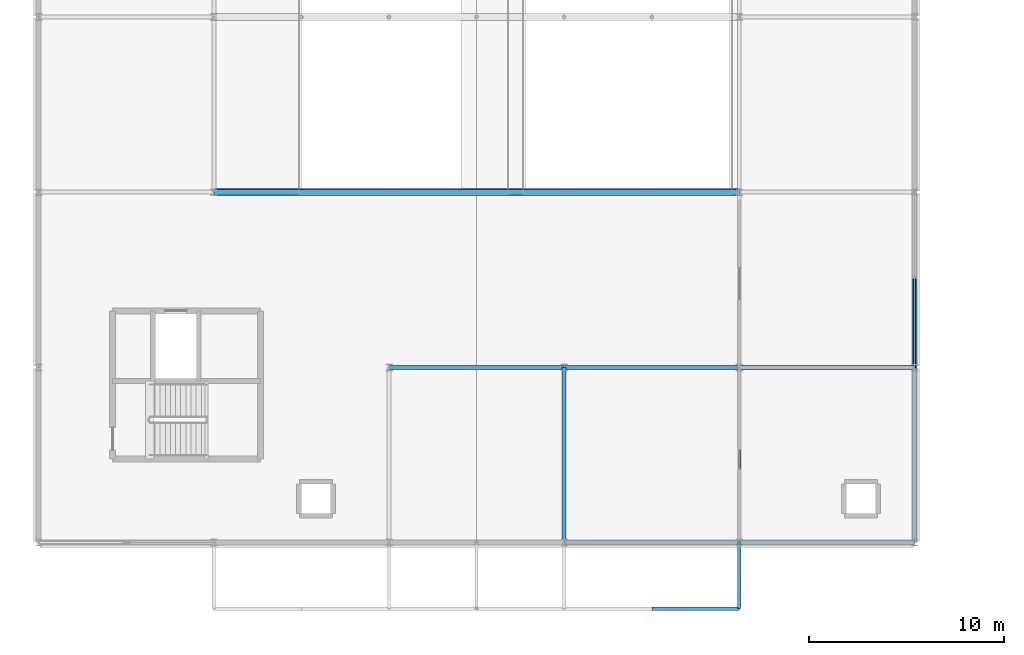
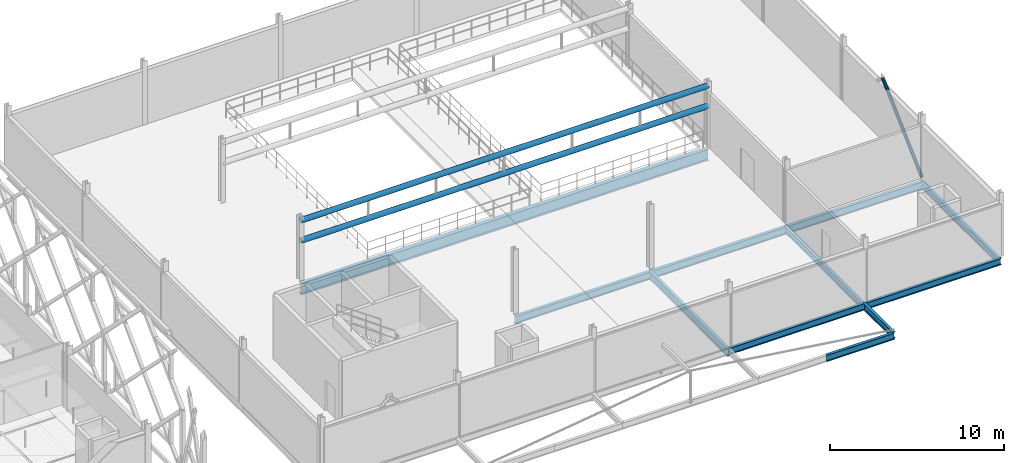
# One storey, part 62 of 140: 11 beams, 3 members.
"""IFC4 building model written with IfcOpenShell, lengths in metres."""

import ifcopenshell
import ifcopenshell.guid

model = None  # the IFC model being written
_history = None  # IfcOwnerHistory: only IFC2X3 demands one
_inside = {}  # id of a spatial element -> (the spatial element, [elements in it])
_under = {}  # id of a project, library or spatial element -> (it, [spatial elements below it])
_declared = {}  # id of a project -> (the project, [libraries it declares])
_typed = {}  # id of a type object -> (the type object, [elements of that type])
_made_of = {}  # id of a material, layer set ... -> (it, [elements and type objects made of it])


def new_model(schema):
    """Start an empty IFC model of exactly this schema.

    Asked for "IFC4X3", IfcOpenShell would pick the latest addendum, in which some entities
    have other attributes; the version numbers below select the first issue.
    IFC2X3 requires an IfcOwnerHistory on every rooted entity: one is made here for all.
    """
    global model, _history
    if schema == "IFC4X3":
        model = ifcopenshell.file(schema_version=(4, 3, 0, 0))
    else:
        model = ifcopenshell.file(schema=schema)
    _inside.clear()
    _under.clear()
    _declared.clear()
    _typed.clear()
    _made_of.clear()
    _history = None
    if model.schema == "IFC2X3":
        org = make("IfcOrganization", Name="unknown")
        user = make(
            "IfcPersonAndOrganization",
            ThePerson=make("IfcPerson", FamilyName="unknown"),
            TheOrganization=org,
        )
        app = make(
            "IfcApplication",
            ApplicationDeveloper=org,
            Version="unknown",
            ApplicationFullName="unknown",
            ApplicationIdentifier="unknown",
        )
        _history = make(
            "IfcOwnerHistory",
            OwningUser=user,
            OwningApplication=app,
            ChangeAction="ADDED",
            CreationDate=0,
        )
    return model


def make(cls, **values):
    """One entity of the class cls with the attributes given. An attribute that is None is left unset."""
    return model.create_entity(
        cls, **{name: value for name, value in values.items() if value is not None}
    )


def rooted(cls, **values):
    """An entity with a GlobalId (a new one), such as an element, a storey or a relation."""
    return make(cls, GlobalId=ifcopenshell.guid.new(), OwnerHistory=_history, **values)


def si_unit(unit_type, name, prefix=None):
    """IfcSIUnit, for example si_unit("LENGTHUNIT", "METRE", prefix="MILLI")."""
    return make("IfcSIUnit", UnitType=unit_type, Prefix=prefix, Name=name)


def assignment(units):
    """IfcUnitAssignment: the units of a project."""
    return None if units is None else make("IfcUnitAssignment", Units=units)


def point(xyz):
    """IfcCartesianPoint."""
    return None if xyz is None else make("IfcCartesianPoint", Coordinates=xyz)


def direction(xyz):
    """IfcDirection."""
    return None if xyz is None else make("IfcDirection", DirectionRatios=xyz)


def frame(location, z_axis=None, x_axis=None):
    """IfcAxis2Placement3D, a coordinate frame: its origin and axes. An axis left out is left unset."""
    return make(
        "IfcAxis2Placement3D",
        Location=point(location),
        Axis=direction(z_axis),
        RefDirection=direction(x_axis),
    )


def frame_2d(location, x_axis=None):
    """IfcAxis2Placement2D, a coordinate frame in the plane: its origin and x axis."""
    return make(
        "IfcAxis2Placement2D", Location=point(location), RefDirection=direction(x_axis)
    )


def origin():
    """The frame at (0, 0, 0) with its axes left unset."""
    return frame((0.0, 0.0, 0.0))


def origin_2d():
    """The frame at (0, 0) in the plane with its x axis left unset."""
    return frame_2d((0.0, 0.0))


def place(relative_to, where):
    """IfcLocalPlacement: puts the frame where relative to a parent placement (None: the world)."""
    return make(
        "IfcLocalPlacement", PlacementRelTo=relative_to, RelativePlacement=where
    )


def context(
    kind, dimensions, precision=None, world=None, true_north=None, identifier=None
):
    """IfcGeometricRepresentationContext, for example the 3D "Model" context."""
    return make(
        "IfcGeometricRepresentationContext",
        ContextIdentifier=identifier,
        ContextType=kind,
        CoordinateSpaceDimension=dimensions,
        Precision=precision,
        WorldCoordinateSystem=world,
        TrueNorth=true_north,
    )


def subcontext(parent, identifier, kind, view, scale=None):
    """IfcGeometricRepresentationSubContext, for example "Body" below "Model"."""
    return make(
        "IfcGeometricRepresentationSubContext",
        ContextIdentifier=identifier,
        ContextType=kind,
        ParentContext=parent,
        TargetScale=scale,
        TargetView=view,
    )


def project(units=None, contexts=None):
    """IfcProject with its units and contexts."""
    return rooted(
        "IfcProject",
        Name="project",
        RepresentationContexts=contexts,
        UnitsInContext=assignment(units),
    )


def spatial(cls, under=None, at=None, **own):
    """A site, building, storey or space (cls), placed at a placement, below another one or the project."""
    s = rooted(cls, ObjectPlacement=at, **own)
    if under is not None:
        _under.setdefault(under.id(), (under, []))[1].append(s)
    return s


def profile(cls, at=None, kind="AREA", **sizes):
    """A parametric profile (cls). Its sizes go by their IFC names, for example OverallWidth=200.0."""
    return make(cls, ProfileType=kind, Position=at, **sizes)


def hollow_circle(**sizes):
    """IfcCircleHollowProfileDef."""
    return profile("IfcCircleHollowProfileDef", **sizes)


def i_section(**sizes):
    """IfcIShapeProfileDef."""
    return profile("IfcIShapeProfileDef", **sizes)


def extrude(swept, where, along, depth):
    """IfcExtrudedAreaSolid: the profile swept, set in the frame where, extruded along a direction by depth."""
    return make(
        "IfcExtrudedAreaSolid",
        SweptArea=swept,
        Position=where,
        ExtrudedDirection=direction(along),
        Depth=depth,
    )


def shape(context_of_items, identifier, shape_type, items):
    """IfcShapeRepresentation: the items that make up one representation, for example the "Body"."""
    return make(
        "IfcShapeRepresentation",
        ContextOfItems=context_of_items,
        RepresentationIdentifier=identifier,
        RepresentationType=shape_type,
        Items=items,
    )


def material(Name=None, Category=None):
    """IfcMaterial."""
    return make("IfcMaterial", Name=Name, Category=Category)


def material_profile(
    of_material, cross_section, Name=None, Category=None, Priority=None
):
    """IfcMaterialProfile: a cross section and its material."""
    return make(
        "IfcMaterialProfile",
        Name=Name,
        Material=of_material,
        Profile=cross_section,
        Priority=Priority,
        Category=Category,
    )


def profile_set(profiles, Name=None, composite=None):
    """IfcMaterialProfileSet."""
    return make(
        "IfcMaterialProfileSet",
        Name=Name,
        MaterialProfiles=profiles,
        CompositeProfile=composite,
    )


def made_of(thing, what):
    """Note that an element or type object is made of a material, layer set ...; save() writes the relation."""
    if what is not None:
        _made_of.setdefault(what.id(), (what, []))[1].append(thing)
    return thing


def type_object(cls, material=None, **own):
    """A type object (cls), such as IfcWallType, which elements share."""
    return made_of(rooted(cls, **own), material)


def element(
    cls,
    number,
    at=None,
    inside=None,
    cuts=None,
    type_object=None,
    material=None,
    context=None,
    identifier="Body",
    shape_type=None,
    held_by="IfcProductDefinitionShape",
    body=None,
    shapes=None,
    **own,
):
    """One element of the class cls, such as IfcWall. Its Tag is "e" and its number.

    at: its placement. inside: the storey or other place that contains it. cuts: it is an
    opening in that element (IfcRelVoidsElement). A single representation is given by context,
    identifier, shape_type and body (its items); several are given by shapes. held_by: the class
    of the entity that holds the representations. save() writes the other relations.
    """
    e = rooted(cls, Tag="e%d" % number, ObjectPlacement=at, **own)
    if body is not None:
        shapes = [shape(context, identifier, shape_type, body)]
    if shapes is not None:
        e.Representation = make(held_by, Representations=shapes)
    if inside is not None:
        _inside.setdefault(inside.id(), (inside, []))[1].append(e)
    if cuts is not None:
        rooted(
            "IfcRelVoidsElement", RelatingBuildingElement=cuts, RelatedOpeningElement=e
        )
    if type_object is not None:
        _typed.setdefault(type_object.id(), (type_object, []))[1].append(e)
    return made_of(e, material)


def aggregate(whole, parts):
    """IfcRelAggregates: a whole, such as a stair, and the parts it consists of."""
    return rooted("IfcRelAggregates", RelatingObject=whole, RelatedObjects=parts)


def save(model, path):
    """Write the relations noted so far, then the file.

    IfcRelAggregates (storeys below a building ...), IfcRelContainedInSpatialStructure (elements
    in a storey), IfcRelDefinesByType, IfcRelAssociatesMaterial and IfcRelDeclares: one each for
    every whole, place, type object, material and project.
    """
    for whole, parts in _under.values():
        aggregate(whole, parts)
    for where, things in _inside.values():
        rooted(
            "IfcRelContainedInSpatialStructure",
            RelatedElements=things,
            RelatingStructure=where,
        )
    for kind, things in _typed.values():
        rooted("IfcRelDefinesByType", RelatedObjects=things, RelatingType=kind)
    for what, things in _made_of.values():
        rooted("IfcRelAssociatesMaterial", RelatedObjects=things, RelatingMaterial=what)
    for by, libraries in _declared.values():
        rooted("IfcRelDeclares", RelatingContext=by, RelatedDefinitions=libraries)
    model.write(path)


model = new_model("IFC4")

# Units and contexts
model_context = context("Model", 3, precision=1e-05, world=origin(), true_north=direction((0.0, 1.0)))
body_context = subcontext(model_context, "Body", "Model", "MODEL_VIEW")
ifc_project = project(units=[si_unit("LENGTHUNIT", "METRE"), si_unit("AREAUNIT", "SQUARE_METRE"), si_unit("VOLUMEUNIT", "CUBIC_METRE"), si_unit("PLANEANGLEUNIT", "RADIAN"), si_unit("MASSUNIT", "GRAM", prefix="KILO"), si_unit("THERMODYNAMICTEMPERATUREUNIT", "KELVIN"), si_unit("POWERUNIT", "WATT")], contexts=[model_context])

# Site, building, storey
site_placement = place(None, origin())
site = spatial("IfcSite", under=ifc_project, at=site_placement, CompositionType="ELEMENT")
building_placement = place(site_placement, origin())
building = spatial("IfcBuilding", under=site, at=building_placement, Name="Tallowbark Science Centre", CompositionType="ELEMENT")
storey_placement = place(building_placement, frame((0.0, 0.0, 9.89990234375)))
storey = spatial("IfcBuildingStorey", under=building, at=storey_placement, Name="L02", CompositionType="ELEMENT", Elevation=9.89990234375)

# Beams
ifc_material_1 = material(Name="Structural Steel Grade 300PLUS (300 MPa)", Category="steel")
ifc_material_profile_1 = material_profile(ifc_material_1, i_section(OverallWidth=0.208984375, OverallDepth=0.532958984375, WebThickness=0.01025390625, FlangeThickness=0.015625, FilletRadius=0.013916015625, at=origin_2d()), Name="530UB92.4")
ifc_profile_set_1 = profile_set([ifc_material_profile_1], Name="Structural Steel Grade 300PLUS (300 MPa)")
beam_type_1 = type_object("IfcBeamType", Name="BM-UB530A", PredefinedType="BEAM", material=ifc_profile_set_1)
for number, where, z_axis, x_axis, name in (
    (1, (130.5, 9.0, -0.511474609375), (1.0, 0.0, 0.0), (0.0, 1.0, 0.0), "Primary Girder GRDX-L02-1305-1395-90"),
    (2, (139.5, 9.0, -0.511474609375), (1.0, 0.0, 0.0), (0.0, 1.0, 0.0), "Primary Girder GRDX-L02-1395-1485-90"),
    (3, (148.5, 9.0, -0.511474609375), (1.0, 0.0, 0.0), (0.0, 1.0, 0.0), "Primary Girder GRDX-L02-1485-1575-90"),
):
    element("IfcBeam", number, at=place(storey_placement, frame(where, z_axis=z_axis, x_axis=x_axis)), inside=storey, type_object=beam_type_1, Name=name, PredefinedType="BEAM", context=body_context, shape_type="SweptSolid", body=[
        extrude(i_section(OverallWidth=0.208984375, OverallDepth=0.532958984375, WebThickness=0.01025390625, FlangeThickness=0.015625, FilletRadius=0.013916015625, at=origin_2d()), origin(), (0.0, 0.0, 1.0), 9.0),
    ])
ifc_material_profile_2 = material_profile(ifc_material_1, i_section(OverallWidth=0.208740234375, OverallDepth=0.5283203125, WebThickness=0.009521484375, FlangeThickness=0.01318359375, FilletRadius=0.013916015625, at=origin_2d()), Name="530UB82.0")
ifc_profile_set_2 = profile_set([ifc_material_profile_2], Name="Structural Steel Grade 300PLUS (300 MPa)")
beam_type_2 = type_object("IfcBeamType", Name="BM-UB530B", PredefinedType="BEAM", material=ifc_profile_set_2)
beam_1_placement = place(storey_placement, frame((139.5, 0.0, -0.509033203125), z_axis=(0.0, 1.0, 0.0), x_axis=(-1.0, 0.0, 0.0)))
element("IfcBeam", 4, at=beam_1_placement, inside=storey, type_object=beam_type_2, Name="Primary Girder GRDY-L02-1395-0-90", PredefinedType="BEAM", context=body_context, shape_type="SweptSolid", body=[
    extrude(i_section(OverallWidth=0.208740234375, OverallDepth=0.5283203125, WebThickness=0.009521484375, FlangeThickness=0.01318359375, FilletRadius=0.013916015625, at=origin_2d()), origin(), (0.0, 0.0, 1.0), 9.0),
])
ifc_material_profile_3 = material_profile(ifc_material_1, i_section(OverallWidth=0.27490234375, OverallDepth=0.7919921875, WebThickness=0.011962890625, FlangeThickness=0.02001953125, FilletRadius=0.013916015625, at=origin_2d()), Name="800WB146")
ifc_profile_set_3 = profile_set([ifc_material_profile_3], Name="Structural Steel Grade 300PLUS (300 MPa)")
beam_type_3 = type_object("IfcBeamType", Name="BM-WB800", PredefinedType="BEAM", material=ifc_profile_set_3)
beam_2_placement = place(storey_placement, frame((121.5, 18.0, -0.640869140625), z_axis=(1.0, 0.0, 0.0), x_axis=(0.0, 1.0, 0.0)))
element("IfcBeam", 5, at=beam_2_placement, inside=storey, type_object=beam_type_3, Name="Primary Girder GRDX-L02-1215-1485-180", PredefinedType="BEAM", context=body_context, shape_type="SweptSolid", body=[
    extrude(i_section(OverallWidth=0.27490234375, OverallDepth=0.7919921875, WebThickness=0.011962890625, FlangeThickness=0.02001953125, FilletRadius=0.013916015625, at=origin_2d()), origin(), (0.0, 0.0, 1.0), 27.0),
])

# Member
ifc_material_2 = material(Name="Structural Steel Grade C350L0 (350 MPa)", Category="steel")
ifc_material_profile_4 = material_profile(ifc_material_2, hollow_circle(Radius=0.109619140625, WallThickness=0.00830078125, at=origin_2d()), Name="219.1x8.2CHS")
ifc_profile_set_4 = profile_set([ifc_material_profile_4], Name="Structural Steel Grade C350L0 (350 MPa)")
member_type_1 = type_object("IfcMemberType", Name="CBF-219CHS", PredefinedType="BRACE", material=ifc_profile_set_4)
member_placement = place(storey_placement, frame((157.5, 9.0, 0.0), z_axis=(0.0, 0.72701315255, 0.686623532964), x_axis=(-1.0, 0.0, 0.0)))
element("IfcMember", 6, at=member_placement, inside=storey, type_object=member_type_1, Name="Concentric Chevron Brace CBF-THT-E1 L02 Left", PredefinedType="BRACE", context=body_context, shape_type="SweptSolid", body=[
    extrude(hollow_circle(Radius=0.109619140625, WallThickness=0.00830078125, at=origin_2d()), origin(), (0.0, 0.0, 1.0), 6.189697265625),
])

# Beams
ifc_material_profile_5 = material_profile(ifc_material_1, i_section(OverallWidth=0.18994140625, OverallDepth=0.453857421875, WebThickness=0.008544921875, FlangeThickness=0.0126953125, FilletRadius=0.011474609375, at=origin_2d()), Name="460UB67.1")
ifc_profile_set_5 = profile_set([ifc_material_profile_5], Name="Structural Steel Grade 300PLUS (300 MPa)")
beam_type_4 = type_object("IfcBeamType", Name="SPN-UB460", PredefinedType="SPANDREL", material=ifc_profile_set_5)
beam_3_placement = place(storey_placement, frame((144.0, -3.39990234375, -0.40673828125), z_axis=(1.0, 0.0, 0.0), x_axis=(0.0, 1.0, 0.0)))
element("IfcBeam", 7, at=beam_3_placement, inside=storey, type_object=beam_type_4, Name="Primary Girder GRDX-L02-1440-1485--34", PredefinedType="SPANDREL", context=body_context, shape_type="SweptSolid", body=[
    extrude(i_section(OverallWidth=0.18994140625, OverallDepth=0.453857421875, WebThickness=0.008544921875, FlangeThickness=0.0126953125, FilletRadius=0.011474609375, at=origin_2d()), origin(), (0.0, 0.0, 1.0), 4.5),
])
for number, where, z_axis, x_axis, name in (
    (8, (139.5, 0.0, -0.40673828125), (1.0, 0.0, 0.0), (0.0, 1.0, 0.0), "Primary Girder GRDX-L02-1395-1485-0"),
    (9, (148.5, 0.0, -0.40673828125), (1.0, 0.0, 0.0), (0.0, 1.0, 0.0), "Primary Girder GRDX-L02-1485-1575-0"),
):
    element("IfcBeam", number, at=place(storey_placement, frame(where, z_axis=z_axis, x_axis=x_axis)), inside=storey, type_object=beam_type_4, Name=name, PredefinedType="SPANDREL", context=body_context, shape_type="SweptSolid", body=[
        extrude(i_section(OverallWidth=0.18994140625, OverallDepth=0.453857421875, WebThickness=0.008544921875, FlangeThickness=0.0126953125, FilletRadius=0.011474609375, at=origin_2d()), origin(), (0.0, 0.0, 1.0), 9.0),
    ])
beam_4_placement = place(storey_placement, frame((148.5, -3.39990234375, -0.40673828125), z_axis=(0.0, 1.0, 0.0), x_axis=(-1.0, 0.0, 0.0)))
element("IfcBeam", 10, at=beam_4_placement, inside=storey, type_object=beam_type_4, Name="Primary Girder GRDY-L02-1485--34-0", PredefinedType="SPANDREL", context=body_context, shape_type="SweptSolid", body=[
    extrude(i_section(OverallWidth=0.18994140625, OverallDepth=0.453857421875, WebThickness=0.008544921875, FlangeThickness=0.0126953125, FilletRadius=0.011474609375, at=origin_2d()), origin(), (0.0, 0.0, 1.0), 3.39990234375),
])
for number, where, z_axis, x_axis, name in (
    (11, (148.5, 0.0, -0.471923828125), (0.0, 1.0, 0.0), (-1.0, 0.0, 0.0), "Primary Girder GRDY-L02-1485-0-90"),
    (12, (157.5, 0.0, -0.471923828125), (0.0, 1.0, 0.0), (-1.0, 0.0, 0.0), "Primary Girder GRDY-L02-1575-0-90"),
):
    element("IfcBeam", number, at=place(storey_placement, frame(where, z_axis=z_axis, x_axis=x_axis)), inside=storey, type_object=beam_type_4, Name=name, PredefinedType="SPANDREL", context=body_context, shape_type="SweptSolid", body=[
        extrude(i_section(OverallWidth=0.18994140625, OverallDepth=0.453857421875, WebThickness=0.008544921875, FlangeThickness=0.0126953125, FilletRadius=0.011474609375, at=origin_2d()), origin(), (0.0, 0.0, 1.0), 9.0),
    ])

# Members
ifc_material_3 = material(Name="White Architectural Painted Steel Grade C350L0 (350 MPa)", Category="steel")
ifc_material_profile_6 = material_profile(ifc_material_3, hollow_circle(Radius=0.177734375, WallThickness=0.0126953125, at=origin_2d()), Name="355.6x12.7CHS")
ifc_profile_set_6 = profile_set([ifc_material_profile_6], Name="White Architectural Painted Steel Grade C350L0 (350 MPa)")
member_type_2 = type_object("IfcMemberType", Name="TR-CHD355", PredefinedType="CHORD", material=ifc_profile_set_6)
for number, where, z_axis, x_axis, name in (
    (13, (121.5, 18.0, 4.1201171875), (1.0, 0.0, 0.0), (0.0, 1.0, 0.0), "Theatre Long-Span Truss Top Chord 1"),
    (14, (121.5, 18.0, 2.7001953125), (1.0, 0.0, 0.0), (0.0, 1.0, 0.0), "Theatre Long-Span Truss Bottom Chord 1"),
):
    element("IfcMember", number, at=place(storey_placement, frame(where, z_axis=z_axis, x_axis=x_axis)), inside=storey, type_object=member_type_2, Name=name, PredefinedType="CHORD", context=body_context, shape_type="SweptSolid", body=[
        extrude(hollow_circle(Radius=0.177734375, WallThickness=0.0126953125, at=origin_2d()), origin(), (0.0, 0.0, 1.0), 27.0),
    ])

save(model, "model.ifc")
